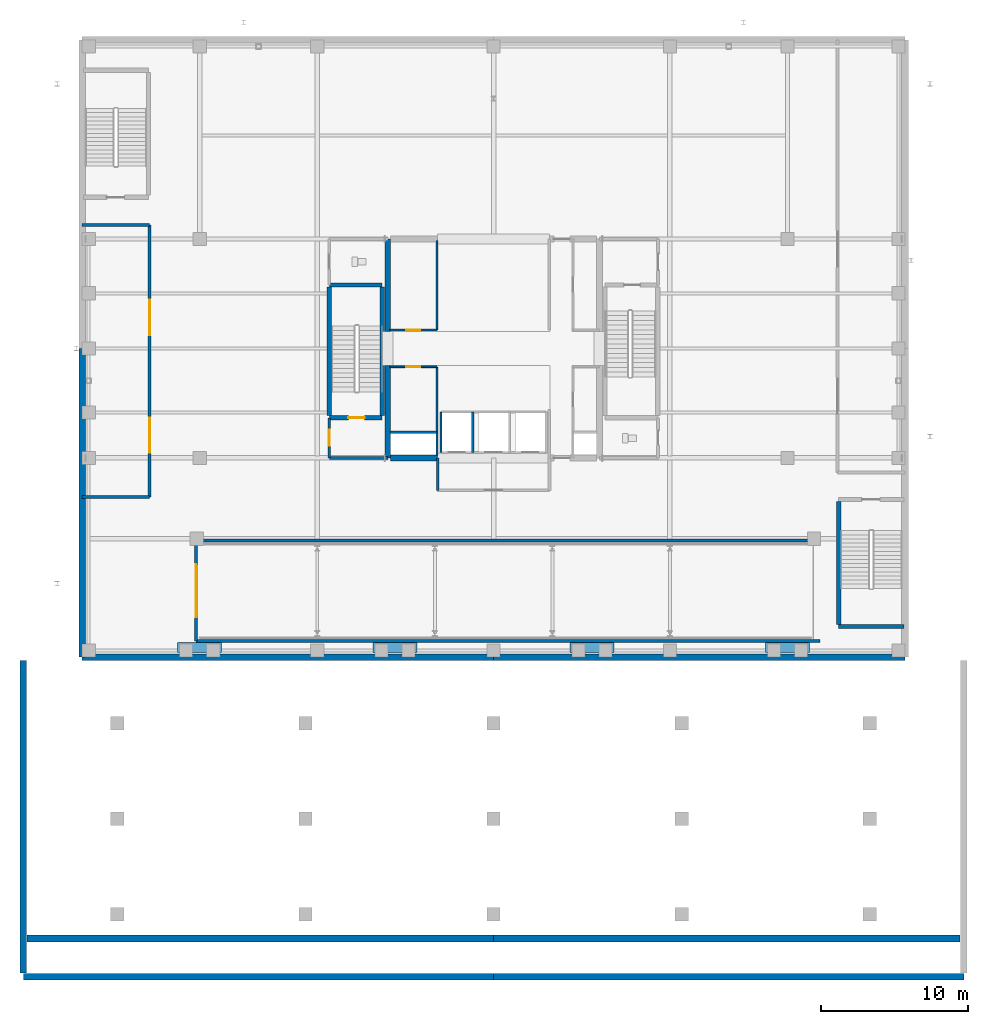
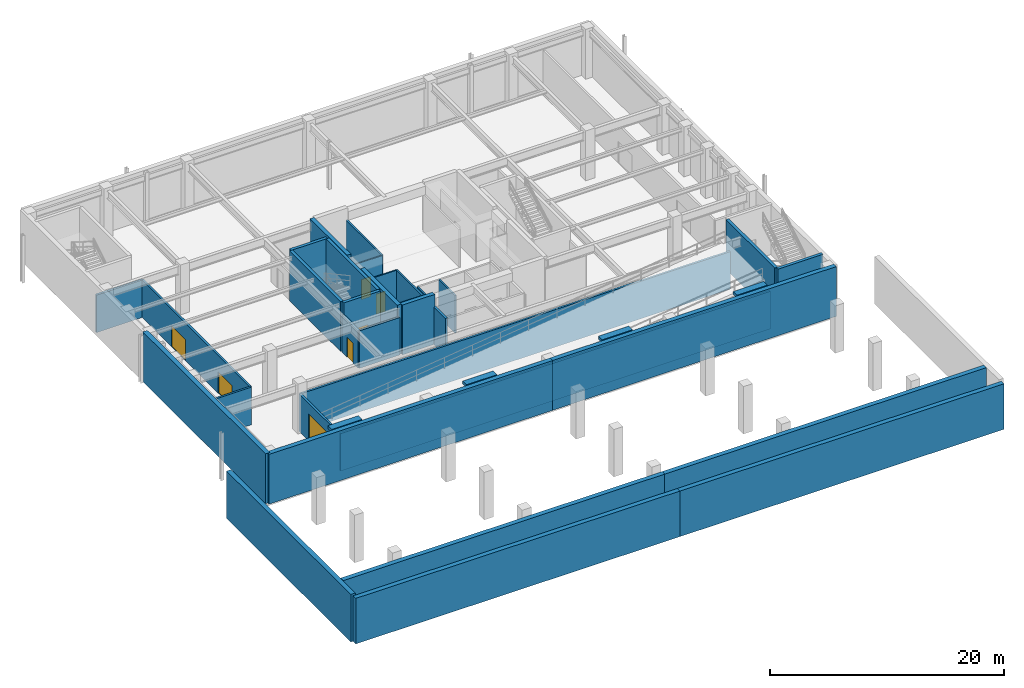
# One storey, part 11 of 16: 37 walls, 7 doors, 7 openings.
"""IFC4 building model written with IfcOpenShell, lengths in metres."""

from ifc_helpers import new_model, si_unit, direction, frame, frame_2d, origin, place, context, subcontext, project, spatial, rectangle, extrude, material, layer, layer_set, type_object, element, fill, save


model = new_model("IFC4")

# Units and contexts
model_context = context("Model", 3, precision=1e-05, world=origin(), true_north=direction((0.0, 1.0)))
body_context = subcontext(model_context, "Body", "Model", "MODEL_VIEW")
ifc_project = project(units=[si_unit("LENGTHUNIT", "METRE"), si_unit("AREAUNIT", "SQUARE_METRE"), si_unit("VOLUMEUNIT", "CUBIC_METRE"), si_unit("PLANEANGLEUNIT", "RADIAN"), si_unit("MASSUNIT", "GRAM", prefix="KILO")], contexts=[model_context])

# Site, building, storey
site_placement = place(None, origin())
site = spatial("IfcSite", under=ifc_project, at=site_placement, CompositionType="ELEMENT")
building_placement = place(site_placement, origin())
building = spatial("IfcBuilding", under=site, at=building_placement, Name="Veldorina Hangang Commons", CompositionType="ELEMENT")
storey_placement = place(building_placement, frame((0.0, 0.0, -5.199951171875)))
storey = spatial("IfcBuildingStorey", under=building, at=storey_placement, Name="B01", CompositionType="ELEMENT", Elevation=-5.199951171875)

# Walls
ifc_material_1 = material(Name="Concrete C70/85", Category="concrete")
ifc_layer_1 = layer(ifc_material_1, 0.39990234375)
ifc_layer_set_1 = layer_set([ifc_layer_1], Name="Concrete C70/85")
wall_type_1 = type_object("IfcWallType", Name="CW-RC400-C70", PredefinedType="SHEAR", material=ifc_layer_set_1)
for number, where, z_axis, x_axis, name in (
    (1, (24.800048828125, 16.550048828125, 0.0), (0.0, 0.0, 1.0), (0.0, 1.0, 0.0), "B01 W south core shear wall"),
    (2, (24.800048828125, 25.14990234375, 0.0), (0.0, 0.0, 1.0), (0.0, 1.0, 0.0), "B01 W north core shear wall"),
):
    element("IfcWall", number, at=place(storey_placement, frame(where, z_axis=z_axis, x_axis=x_axis)), inside=storey, type_object=wall_type_1, Name=name, PredefinedType="SHEAR", context=body_context, shape_type="SweptSolid", body=[
        extrude(rectangle(XDim=6.300048828125, YDim=0.39990234375, at=frame_2d((3.14990234375, 0.0))), origin(), (0.0, 0.0, 1.0), 5.199951171875),
    ])
wall_1_placement = place(storey_placement, frame((25.0, 16.550048828125, 0.0), z_axis=(0.0, 0.0, 1.0), x_axis=(1.0, 0.0, 0.0)))
element("IfcWall", 3, at=wall_1_placement, inside=storey, type_object=wall_type_1, Name="B01 south-west core shear wall", PredefinedType="SHEAR", context=body_context, shape_type="SweptSolid", body=[
    extrude(rectangle(XDim=3.199951171875, YDim=0.39990234375, at=frame_2d((1.60009765625, 0.0))), origin(), (0.0, 0.0, 1.0), 5.199951171875),
])
for number, where, z_axis, x_axis, name in (
    (4, (10.5, 3.64990234375, 4.8798828125), (0.0, 0.0, 1.0), (1.0, 0.0, 0.0), "B01 V-column concrete pedestal cap VC-1"),
    (5, (23.800048828125, 3.64990234375, 4.8798828125), (0.0, 0.0, 1.0), (1.0, 0.0, 0.0), "B01 V-column concrete pedestal cap VC-2"),
    (6, (37.199951171875, 3.64990234375, 4.8798828125), (0.0, 0.0, 1.0), (1.0, 0.0, 0.0), "B01 V-column concrete pedestal cap VC-3"),
    (7, (50.5, 3.64990234375, 4.8798828125), (0.0, 0.0, 1.0), (1.0, 0.0, 0.0), "B01 V-column concrete pedestal cap VC-4"),
):
    element("IfcWall", number, at=place(storey_placement, frame(where, z_axis=z_axis, x_axis=x_axis)), inside=storey, type_object=wall_type_1, Name=name, PredefinedType="SHEAR", context=body_context, shape_type="SweptSolid", body=[
        extrude(rectangle(XDim=3.0, YDim=0.64990234375, at=frame_2d((1.5, 0.0))), origin(), (0.0, 0.0, 1.0), 0.320068359375),
    ])
ifc_material_2 = material(Name="Concrete C45/55", Category="concrete")
ifc_layer_2 = layer(ifc_material_2, 0.449951171875)
ifc_layer_set_2 = layer_set([ifc_layer_2], Name="Concrete C45/55")
wall_type_2 = type_object("IfcWallType", Name="RW-BASE-450", PredefinedType="USERDEFINED", material=ifc_layer_set_2)
for number, where, z_axis, x_axis, name in (
    (8, (4.0, 3.0, 0.0), (0.0, 0.0, 1.0), (1.0, 0.0, 0.0), "B01 perimeter retaining wall S1"),
    (9, (32.0, 3.0, 0.0), (0.0, 0.0, 1.0), (1.0, 0.0, 0.0), "B01 perimeter retaining wall S2"),
):
    element("IfcWall", number, at=place(storey_placement, frame(where, z_axis=z_axis, x_axis=x_axis)), inside=storey, type_object=wall_type_2, Name=name, ObjectType="RETAININGWALL", PredefinedType="USERDEFINED", context=body_context, shape_type="SweptSolid", body=[
        extrude(rectangle(XDim=28.0, YDim=0.449951171875, at=frame_2d((14.0, 0.0))), origin(), (0.0, 0.0, 1.0), 5.199951171875),
    ])
wall_2_placement = place(storey_placement, frame((4.0, 24.0, 0.0), z_axis=(0.0, 0.0, 1.0), x_axis=(0.0, -1.0, 0.0)))
element("IfcWall", 10, at=wall_2_placement, inside=storey, type_object=wall_type_2, Name="B01 perimeter retaining wall W2", ObjectType="RETAININGWALL", PredefinedType="USERDEFINED", context=body_context, shape_type="SweptSolid", body=[
    extrude(rectangle(XDim=21.0, YDim=0.449951171875, at=frame_2d((10.5, 0.0))), origin(), (0.0, 0.0, 1.0), 5.199951171875),
])
for number, where, z_axis, x_axis, name in (
    (11, (0.0, -18.75, 0.0), (0.0, 0.0, 1.0), (1.0, 0.0, 0.0), "B01 waterfront quay retaining wall QS1"),
    (12, (32.0, -18.75, 0.0), (0.0, 0.0, 1.0), (1.0, 0.0, 0.0), "B01 waterfront quay retaining wall QS2"),
):
    element("IfcWall", number, at=place(storey_placement, frame(where, z_axis=z_axis, x_axis=x_axis)), inside=storey, type_object=wall_type_2, Name=name, ObjectType="RETAININGWALL", PredefinedType="USERDEFINED", context=body_context, shape_type="SweptSolid", body=[
        extrude(rectangle(XDim=32.0, YDim=0.449951171875, at=frame_2d((16.0, 0.0))), origin(), (0.0, 0.0, 1.0), 4.760009765625),
    ])
for number, where, z_axis, x_axis, name in (
    (13, (0.25, -16.14990234375, 0.0), (0.0, 0.0, 1.0), (1.0, 0.0, 0.0), "B01 waterfront quay retaining wall QN1"),
    (14, (32.0, -16.14990234375, 0.0), (0.0, 0.0, 1.0), (1.0, 0.0, 0.0), "B01 waterfront quay retaining wall QN2"),
):
    element("IfcWall", number, at=place(storey_placement, frame(where, z_axis=z_axis, x_axis=x_axis)), inside=storey, type_object=wall_type_2, Name=name, ObjectType="RETAININGWALL", PredefinedType="USERDEFINED", context=body_context, shape_type="SweptSolid", body=[
        extrude(rectangle(XDim=31.75, YDim=0.449951171875, at=frame_2d((15.875, 0.0))), origin(), (0.0, 0.0, 1.0), 4.949951171875),
    ])
wall_3_placement = place(storey_placement, frame((0.0, -18.5, 0.0), z_axis=(0.0, 0.0, 1.0), x_axis=(0.0, 1.0, 0.0)))
element("IfcWall", 15, at=wall_3_placement, inside=storey, type_object=wall_type_2, Name="B01 waterfront quay retaining wall QW", ObjectType="RETAININGWALL", PredefinedType="USERDEFINED", context=body_context, shape_type="SweptSolid", body=[
    extrude(rectangle(XDim=21.25, YDim=0.449951171875, at=frame_2d((10.625, 0.0))), origin(), (0.0, 0.0, 1.0), 4.949951171875),
])
ifc_material_3 = material(Name="Concrete C50/60", Category="concrete")
ifc_layer_3 = layer(ifc_material_3, 0.300048828125)
ifc_layer_set_3 = layer_set([ifc_layer_3], Name="Concrete C50/60")
wall_type_3 = type_object("IfcWallType", Name="SW-STAIR-300", PredefinedType="SHEAR", material=ifc_layer_set_3)
for number, where, z_axis, x_axis, name in (
    (16, (20.820068359375, 19.429931640625, 0.0), (0.0, 0.0, 1.0), (0.0, 1.0, 0.0), "B01 ST1 outer stair shear wall"),
    (17, (24.419921875, 19.429931640625, 0.0), (0.0, 0.0, 1.0), (0.0, 1.0, 0.0), "B01 ST1 inner stair shear wall"),
):
    element("IfcWall", number, at=place(storey_placement, frame(where, z_axis=z_axis, x_axis=x_axis)), inside=storey, type_object=wall_type_3, Name=name, PredefinedType="SHEAR", context=body_context, shape_type="SweptSolid", body=[
        extrude(rectangle(XDim=8.739990234375, YDim=0.300048828125, at=frame_2d((4.3701171875, 0.0))), origin(), (0.0, 0.0, 1.0), 5.199951171875),
    ])

# Wall, opening, door
wall_4_placement = place(storey_placement, frame((20.820068359375, 19.280029296875, 0.0), z_axis=(0.0, 0.0, 1.0), x_axis=(1.0, 0.0, 0.0)))
wall_4 = element("IfcWall", 18, at=wall_4_placement, inside=storey, type_object=wall_type_3, Name="B01 ST1 south stair shear wall", PredefinedType="SHEAR", context=body_context, shape_type="SweptSolid", body=[
    extrude(rectangle(XDim=3.599853515625, YDim=0.300048828125, at=frame_2d((1.7998046875, 0.0))), origin(), (0.0, 0.0, 1.0), 5.199951171875),
])
opening_1_placement = place(wall_4_placement, frame((1.300048828125, 0.0, 0.0)))
opening_1 = element("IfcOpeningElement", 19, at=opening_1_placement, cuts=wall_4, Name="Opening D-08", PredefinedType="OPENING", context=body_context, shape_type="SweptSolid", body=[
    extrude(rectangle(XDim=1.10009765625, YDim=2.10009765625, at=frame_2d((0.550048828125, 1.050048828125))), frame((0.0, 0.16015625, 0.0), z_axis=(0.0, -1.0, 0.0), x_axis=(1.0, 0.0, 0.0)), (0.0, 0.0, 1.0), 0.320068359375),
])
ifc_material_4 = material(Name="Steel Fire-Rated Smoke Seal", Category="steel")
door_type_1 = type_object("IfcDoorType", Name="DR-FIRE-1100", OperationType="SINGLE_SWING_RIGHT", PredefinedType="DOOR", material=ifc_material_4)
door_1_placement = place(opening_1_placement, origin())
door_1 = element("IfcDoor", 20, at=door_1_placement, inside=storey, type_object=door_type_1, Name="B01 Special Escape Stair ST-1 door", OperationType="SINGLE_SWING_LEFT", OverallHeight=2.10009765625, OverallWidth=1.10009765625, PredefinedType="DOOR", context=body_context, shape_type="SweptSolid", body=[
    extrude(rectangle(XDim=1.10009765625, YDim=2.10009765625, at=frame_2d((0.550048828125, 1.050048828125))), frame((0.0, 0.02490234375, 0.0), z_axis=(0.0, -1.0, 0.0), x_axis=(1.0, 0.0, 0.0)), (0.0, 0.0, 1.0), 0.050048828125),
])
fill(opening_1, door_1)

# Walls
wall_5_placement = place(storey_placement, frame((20.820068359375, 28.320068359375, 0.0), z_axis=(0.0, 0.0, 1.0), x_axis=(1.0, 0.0, 0.0)))
element("IfcWall", 21, at=wall_5_placement, inside=storey, type_object=wall_type_3, Name="B01 ST1 north stair shear wall", PredefinedType="SHEAR", context=body_context, shape_type="SweptSolid", body=[
    extrude(rectangle(XDim=3.599853515625, YDim=0.300048828125, at=frame_2d((1.7998046875, 0.0))), origin(), (0.0, 0.0, 1.0), 5.199951171875),
])
wall_6_placement = place(storey_placement, frame((55.47998046875, 5.22998046875, 0.0), z_axis=(0.0, 0.0, 1.0), x_axis=(0.0, 1.0, 0.0)))
element("IfcWall", 22, at=wall_6_placement, inside=storey, type_object=wall_type_3, Name="B01 STP2 W stair shear wall", PredefinedType="SHEAR", context=body_context, shape_type="SweptSolid", body=[
    extrude(rectangle(XDim=8.340087890625, YDim=0.300048828125, at=frame_2d((4.169921875, 0.0))), origin(), (0.0, 0.0, 1.0), 5.199951171875),
])
wall_7_placement = place(storey_placement, frame((55.47998046875, 5.080078125, 0.0), z_axis=(0.0, 0.0, 1.0), x_axis=(1.0, 0.0, 0.0)))
element("IfcWall", 23, at=wall_7_placement, inside=storey, type_object=wall_type_3, Name="B01 STP2 S stair shear wall", PredefinedType="SHEAR", context=body_context, shape_type="SweptSolid", body=[
    extrude(rectangle(XDim=4.43994140625, YDim=0.300048828125, at=frame_2d((2.219970703125, 0.0))), origin(), (0.0, 0.0, 1.0), 5.199951171875),
])
ifc_material_5 = material(Name="Gypsum Fire-Rated Twin Stud Wall", Category="gypsum")
ifc_layer_4 = layer(ifc_material_5, 0.159912109375)
ifc_layer_set_4 = layer_set([ifc_layer_4], Name="Gypsum Fire-Rated Twin Stud Wall")
wall_type_4 = type_object("IfcWallType", Name="WL-FIRE-160", PredefinedType="SOLIDWALL", material=ifc_layer_set_4)
for number, where, z_axis, x_axis, name in (
    (24, (28.419921875, 16.919921875, 0.0), (0.0, 0.0, 1.0), (0.0, 1.0, 0.0), "B01 FFL-1 west shaft wall 017"),
    (25, (30.580078125, 16.919921875, 0.0), (0.0, 0.0, 1.0), (0.0, 1.0, 0.0), "B01 FFL-1 east shaft wall 018"),
):
    element("IfcWall", number, at=place(storey_placement, frame(where, z_axis=z_axis, x_axis=x_axis)), inside=storey, type_object=wall_type_4, Name=name, PredefinedType="SOLIDWALL", context=body_context, shape_type="SweptSolid", body=[
        extrude(rectangle(XDim=2.760009765625, YDim=0.159912109375, at=frame_2d((1.3798828125, 0.0))), origin(), (0.0, 0.0, 1.0), 3.919921875),
    ])
wall_8_placement = place(storey_placement, frame((24.949951171875, 18.300048828125, 0.0), z_axis=(0.0, 0.0, 1.0), x_axis=(1.0, 0.0, 0.0)))
element("IfcWall", 26, at=wall_8_placement, inside=storey, type_object=wall_type_4, Name="B01 Electrical riser wall 021", PredefinedType="SOLIDWALL", context=body_context, shape_type="SweptSolid", body=[
    extrude(rectangle(XDim=3.199951171875, YDim=0.159912109375, at=frame_2d((1.60009765625, 0.0))), origin(), (0.0, 0.0, 1.0), 3.919921875),
])
wall_9_placement = place(storey_placement, frame((28.14990234375, 16.699951171875, 0.0), z_axis=(0.0, 0.0, 1.0), x_axis=(0.0, 1.0, 0.0)))
element("IfcWall", 27, at=wall_9_placement, inside=storey, type_object=wall_type_4, Name="B01 SW core inner wall 022", PredefinedType="SOLIDWALL", context=body_context, shape_type="SweptSolid", body=[
    extrude(rectangle(XDim=6.050048828125, YDim=0.159912109375, at=frame_2d((3.02490234375, 0.0))), origin(), (0.0, 0.0, 1.0), 3.919921875),
])
wall_10_placement = place(storey_placement, frame((28.14990234375, 25.25, 0.0), z_axis=(0.0, 0.0, 1.0), x_axis=(0.0, 1.0, 0.0)))
element("IfcWall", 28, at=wall_10_placement, inside=storey, type_object=wall_type_4, Name="B01 NW core inner wall 024", PredefinedType="SOLIDWALL", context=body_context, shape_type="SweptSolid", body=[
    extrude(rectangle(XDim=6.10009765625, YDim=0.159912109375, at=frame_2d((3.050048828125, 0.0))), origin(), (0.0, 0.0, 1.0), 3.919921875),
])

# Wall, opening, door
ifc_material_6 = material(Name="Concrete Blockwork Fire Wall C30/37", Category="masonry")
ifc_layer_5 = layer(ifc_material_6, 0.199951171875)
ifc_layer_set_5 = layer_set([ifc_layer_5], Name="Concrete Blockwork Fire Wall C30/37")
wall_type_5 = type_object("IfcWallType", Name="WL-FIRE-200", PredefinedType="SOLIDWALL", material=ifc_layer_set_5)
wall_11_placement = place(storey_placement, frame((20.820068359375, 16.550048828125, 0.0), z_axis=(0.0, 0.0, 1.0), x_axis=(0.0, 1.0, 0.0)))
wall_11 = element("IfcWall", 29, at=wall_11_placement, inside=storey, type_object=wall_type_5, Name="B01 West vestibule outer wall 001", PredefinedType="SOLIDWALL", context=body_context, shape_type="SweptSolid", body=[
    extrude(rectangle(XDim=2.72998046875, YDim=0.199951171875, at=frame_2d((1.364990234375, 0.0))), origin(), (0.0, 0.0, 1.0), 3.919921875),
])
opening_2_placement = place(wall_11_placement, frame((0.81494140625, 0.0, 0.0)))
opening_2 = element("IfcOpeningElement", 30, at=opening_2_placement, cuts=wall_11, Name="Opening D-08", PredefinedType="OPENING", context=body_context, shape_type="SweptSolid", body=[
    extrude(rectangle(XDim=1.10009765625, YDim=2.10009765625, at=frame_2d((0.550048828125, 1.050048828125))), frame((0.0, 0.10986328125, 0.0), z_axis=(0.0, -1.0, 0.0), x_axis=(1.0, 0.0, 0.0)), (0.0, 0.0, 1.0), 0.219970703125),
])
door_2_placement = place(opening_2_placement, origin())
door_2 = element("IfcDoor", 31, at=door_2_placement, inside=storey, type_object=door_type_1, Name="B01 West vestibule west door 001", OperationType="SINGLE_SWING_LEFT", OverallHeight=2.10009765625, OverallWidth=1.10009765625, PredefinedType="DOOR", context=body_context, shape_type="SweptSolid", body=[
    extrude(rectangle(XDim=1.10009765625, YDim=2.10009765625, at=frame_2d((0.550048828125, 1.050048828125))), frame((0.0, 0.02490234375, 0.0), z_axis=(0.0, -1.0, 0.0), x_axis=(1.0, 0.0, 0.0)), (0.0, 0.0, 1.0), 0.050048828125),
])
fill(opening_2, door_2)

# Walls
wall_12_placement = place(storey_placement, frame((20.820068359375, 16.550048828125, 0.0), z_axis=(0.0, 0.0, 1.0), x_axis=(1.0, 0.0, 0.0)))
element("IfcWall", 32, at=wall_12_placement, inside=storey, type_object=wall_type_5, Name="B01 West vestibule south wall 002", PredefinedType="SOLIDWALL", context=body_context, shape_type="SweptSolid", body=[
    extrude(rectangle(XDim=3.97998046875, YDim=0.199951171875, at=frame_2d((1.989990234375, 0.0))), origin(), (0.0, 0.0, 1.0), 3.919921875),
])
wall_13_placement = place(storey_placement, frame((28.199951171875, 14.35009765625, 0.0), z_axis=(0.0, 0.0, 1.0), x_axis=(0.0, 1.0, 0.0)))
element("IfcWall", 33, at=wall_13_placement, inside=storey, type_object=wall_type_5, Name="B01 FF lobby west wall 012", PredefinedType="SOLIDWALL", context=body_context, shape_type="SweptSolid", body=[
    extrude(rectangle(XDim=2.199951171875, YDim=0.199951171875, at=frame_2d((1.10009765625, 0.0))), origin(), (0.0, 0.0, 1.0), 3.919921875),
])

# Wall, openings, doors
wall_14_placement = place(storey_placement, frame((8.60009765625, 13.89990234375, 0.0), z_axis=(0.0, 0.0, 1.0), x_axis=(0.0, 1.0, 0.0)))
wall_14 = element("IfcWall", 34, at=wall_14_placement, inside=storey, type_object=wall_type_5, Name="B01 Bicycle store wall 031", PredefinedType="SOLIDWALL", context=body_context, shape_type="SweptSolid", body=[
    extrude(rectangle(XDim=18.5, YDim=0.199951171875, at=frame_2d((9.25, 0.0))), origin(), (0.0, 0.0, 1.0), 3.919921875),
])
opening_3_placement = place(wall_14_placement, frame((3.0, 0.0, 0.0)))
opening_3 = element("IfcOpeningElement", 35, at=opening_3_placement, cuts=wall_14, Name="Opening VG-02", PredefinedType="OPENING", context=body_context, shape_type="SweptSolid", body=[
    extrude(rectangle(XDim=2.39990234375, YDim=2.199951171875, at=frame_2d((1.199951171875, 1.10009765625))), frame((0.0, 0.10986328125, 0.0), z_axis=(0.0, -1.0, 0.0), x_axis=(1.0, 0.0, 0.0)), (0.0, 0.0, 1.0), 0.219970703125),
])
opening_4_placement = place(wall_14_placement, frame((11.0, 0.0, 0.0)))
opening_4 = element("IfcOpeningElement", 36, at=opening_4_placement, cuts=wall_14, Name="Opening VG-02", PredefinedType="OPENING", context=body_context, shape_type="SweptSolid", body=[
    extrude(rectangle(XDim=2.39990234375, YDim=2.199951171875, at=frame_2d((1.199951171875, 1.10009765625))), frame((0.0, 0.10986328125, 0.0), z_axis=(0.0, -1.0, 0.0), x_axis=(1.0, 0.0, 0.0)), (0.0, 0.0, 1.0), 0.219970703125),
])
ifc_material_7 = material(Name="Steel Perforated Security Grille", Category="steel")
door_type_2 = type_object("IfcDoorType", Name="DR-GATE-2400", OperationType="ROLLINGUP", PredefinedType="GATE", material=ifc_material_7)
door_3_placement = place(opening_3_placement, origin())
door_3 = element("IfcDoor", 37, at=door_3_placement, inside=storey, type_object=door_type_2, Name="B01 Bicycle store north security gate 013", OperationType="ROLLINGUP", OverallHeight=2.199951171875, OverallWidth=2.39990234375, PredefinedType="GATE", context=body_context, shape_type="SweptSolid", body=[
    extrude(rectangle(XDim=2.39990234375, YDim=2.199951171875, at=frame_2d((1.199951171875, 1.10009765625))), frame((0.0, 0.02490234375, 0.0), z_axis=(0.0, -1.0, 0.0), x_axis=(1.0, 0.0, 0.0)), (0.0, 0.0, 1.0), 0.050048828125),
])
fill(opening_3, door_3)
door_4_placement = place(opening_4_placement, origin())
door_4 = element("IfcDoor", 38, at=door_4_placement, inside=storey, type_object=door_type_2, Name="B01 Bicycle store south security gate 014", OperationType="ROLLINGUP", OverallHeight=2.199951171875, OverallWidth=2.39990234375, PredefinedType="GATE", context=body_context, shape_type="SweptSolid", body=[
    extrude(rectangle(XDim=2.39990234375, YDim=2.199951171875, at=frame_2d((1.199951171875, 1.10009765625))), frame((0.0, 0.02490234375, 0.0), z_axis=(0.0, -1.0, 0.0), x_axis=(1.0, 0.0, 0.0)), (0.0, 0.0, 1.0), 0.050048828125),
])
fill(opening_4, door_4)

# Walls
for number, where, z_axis, x_axis, name in (
    (39, (4.0, 13.89990234375, 0.0), (0.0, 0.0, 1.0), (1.0, 0.0, 0.0), "B01 Bicycle store south wall 032"),
    (40, (4.0, 32.39990234375, 0.0), (0.0, 0.0, 1.0), (1.0, 0.0, 0.0), "B01 Bicycle store north wall 033"),
):
    element("IfcWall", number, at=place(storey_placement, frame(where, z_axis=z_axis, x_axis=x_axis)), inside=storey, type_object=wall_type_5, Name=name, PredefinedType="SOLIDWALL", context=body_context, shape_type="SweptSolid", body=[
        extrude(rectangle(XDim=4.60009765625, YDim=0.199951171875, at=frame_2d((2.300048828125, 0.0))), origin(), (0.0, 0.0, 1.0), 3.919921875),
    ])
for number, where, z_axis, x_axis, name in (
    (41, (11.75, 10.919921875, 0.0), (0.0, 0.0, 1.0), (1.0, 0.0, 0.0), "B01 B01 ramp north enclosure wall 036"),
    (42, (11.75, 4.080078125, 0.0), (0.0, 0.0, 1.0), (1.0, 0.0, 0.0), "B01 B01 ramp south enclosure wall 037"),
):
    element("IfcWall", number, at=place(storey_placement, frame(where, z_axis=z_axis, x_axis=x_axis)), inside=storey, type_object=wall_type_5, Name=name, PredefinedType="SOLIDWALL", context=body_context, shape_type="SweptSolid", body=[
        extrude(rectangle(XDim=42.449951171875, YDim=0.199951171875, at=frame_2d((21.22509765625, 0.0))), origin(), (0.0, 0.0, 1.0), 3.919921875),
    ])

# Wall, opening, door
wall_15_placement = place(storey_placement, frame((11.75, 4.080078125, 0.0), z_axis=(0.0, 0.0, 1.0), x_axis=(0.0, 1.0, 0.0)))
wall_15 = element("IfcWall", 43, at=wall_15_placement, inside=storey, type_object=wall_type_5, Name="B01 B01 car park vehicle ramp portal wall 038", PredefinedType="SOLIDWALL", context=body_context, shape_type="SweptSolid", body=[
    extrude(rectangle(XDim=6.83984375, YDim=0.199951171875, at=frame_2d((3.419921875, 0.0))), origin(), (0.0, 0.0, 1.0), 3.919921875),
])
opening_5_placement = place(wall_15_placement, frame((1.6201171875, 0.0, 0.0)))
opening_5 = element("IfcOpeningElement", 44, at=opening_5_placement, cuts=wall_15, Name="Opening VG-01", PredefinedType="OPENING", context=body_context, shape_type="SweptSolid", body=[
    extrude(rectangle(XDim=3.60009765625, YDim=2.800048828125, at=frame_2d((1.800048828125, 1.39990234375))), frame((0.0, 0.10986328125, 0.0), z_axis=(0.0, -1.0, 0.0), x_axis=(1.0, 0.0, 0.0)), (0.0, 0.0, 1.0), 0.219970703125),
])
ifc_material_8 = material(Name="Steel Insulated Car Park Shutter", Category="steel")
door_type_3 = type_object("IfcDoorType", Name="DR-VEH-GATE3600", OperationType="ROLLINGUP", PredefinedType="GATE", material=ifc_material_8)
door_5_placement = place(opening_5_placement, origin())
door_5 = element("IfcDoor", 45, at=door_5_placement, inside=storey, type_object=door_type_3, Name="B01 car park vehicle entrance roller shutter", OperationType="ROLLINGUP", OverallHeight=2.800048828125, OverallWidth=3.60009765625, PredefinedType="GATE", context=body_context, shape_type="SweptSolid", body=[
    extrude(rectangle(XDim=3.60009765625, YDim=2.800048828125, at=frame_2d((1.800048828125, 1.39990234375))), frame((0.0, 0.02490234375, 0.0), z_axis=(0.0, -1.0, 0.0), x_axis=(1.0, 0.0, 0.0)), (0.0, 0.0, 1.0), 0.050048828125),
])
fill(opening_5, door_5)

ifc_material_9 = material(Name="Gypsum Acoustic Stud Partition", Category="gypsum")
ifc_layer_6 = layer(ifc_material_9, 0.1201171875)
ifc_layer_set_6 = layer_set([ifc_layer_6], Name="Gypsum Acoustic Stud Partition")
wall_type_6 = type_object("IfcWallType", Name="WL-PART-120", PredefinedType="PARTITIONING", material=ifc_layer_set_6)
wall_16_placement = place(storey_placement, frame((24.949951171875, 25.25, 0.0), z_axis=(0.0, 0.0, 1.0), x_axis=(1.0, 0.0, 0.0)))
wall_16 = element("IfcWall", 46, at=wall_16_placement, inside=storey, type_object=wall_type_6, Name="B01 NW service south wall 025", PredefinedType="PARTITIONING", context=body_context, shape_type="SweptSolid", body=[
    extrude(rectangle(XDim=3.199951171875, YDim=0.1201171875, at=frame_2d((1.60009765625, 0.0))), origin(), (0.0, 0.0, 1.0), 3.919921875),
])
opening_6_placement = place(wall_16_placement, frame((1.125, 0.0, 0.0)))
opening_6 = element("IfcOpeningElement", 47, at=opening_6_placement, cuts=wall_16, Name="Opening D-02", PredefinedType="OPENING", context=body_context, shape_type="SweptSolid", body=[
    extrude(rectangle(XDim=0.949951171875, YDim=2.10009765625, at=frame_2d((0.47509765625, 1.050048828125))), frame((0.0, 0.070068359375, 0.0), z_axis=(0.0, -1.0, 0.0), x_axis=(1.0, 0.0, 0.0)), (0.0, 0.0, 1.0), 0.14013671875),
])
ifc_material_10 = material(Name="Timber Solid Core Acoustic", Category="wood")
door_type_4 = type_object("IfcDoorType", Name="DR-INT-950", OperationType="SINGLE_SWING_LEFT", PredefinedType="DOOR", material=ifc_material_10)
door_6_placement = place(opening_6_placement, origin())
door_6 = element("IfcDoor", 48, at=door_6_placement, inside=storey, type_object=door_type_4, Name="B01 Housekeeping store door 009", OperationType="SINGLE_SWING_LEFT", OverallHeight=2.10009765625, OverallWidth=0.949951171875, PredefinedType="DOOR", context=body_context, shape_type="SweptSolid", body=[
    extrude(rectangle(XDim=0.949951171875, YDim=2.10009765625, at=frame_2d((0.47509765625, 1.050048828125))), frame((0.0, 0.02490234375, 0.0), z_axis=(0.0, -1.0, 0.0), x_axis=(1.0, 0.0, 0.0)), (0.0, 0.0, 1.0), 0.050048828125),
])
fill(opening_6, door_6)

wall_17_placement = place(storey_placement, frame((24.949951171875, 22.75, 0.0), z_axis=(0.0, 0.0, 1.0), x_axis=(1.0, 0.0, 0.0)))
wall_17 = element("IfcWall", 49, at=wall_17_placement, inside=storey, type_object=wall_type_6, Name="B01 SW service north wall 026", PredefinedType="PARTITIONING", context=body_context, shape_type="SweptSolid", body=[
    extrude(rectangle(XDim=3.199951171875, YDim=0.1201171875, at=frame_2d((1.60009765625, 0.0))), origin(), (0.0, 0.0, 1.0), 3.919921875),
])
opening_7_placement = place(wall_17_placement, frame((1.125, 0.0, 0.0)))
opening_7 = element("IfcOpeningElement", 50, at=opening_7_placement, cuts=wall_17, Name="Opening D-02", PredefinedType="OPENING", context=body_context, shape_type="SweptSolid", body=[
    extrude(rectangle(XDim=0.949951171875, YDim=2.10009765625, at=frame_2d((0.47509765625, 1.050048828125))), frame((0.0, 0.070068359375, 0.0), z_axis=(0.0, -1.0, 0.0), x_axis=(1.0, 0.0, 0.0)), (0.0, 0.0, 1.0), 0.14013671875),
])
door_7_placement = place(opening_7_placement, origin())
door_7 = element("IfcDoor", 51, at=door_7_placement, inside=storey, type_object=door_type_4, Name="B01 Refuse hold door 010", OperationType="SINGLE_SWING_RIGHT", OverallHeight=2.10009765625, OverallWidth=0.949951171875, PredefinedType="DOOR", context=body_context, shape_type="SweptSolid", body=[
    extrude(rectangle(XDim=0.949951171875, YDim=2.10009765625, at=frame_2d((0.47509765625, 1.050048828125))), frame((0.0, 0.02490234375, 0.0), z_axis=(0.0, -1.0, 0.0), x_axis=(1.0, 0.0, 0.0)), (0.0, 0.0, 1.0), 0.050048828125),
])
fill(opening_7, door_7)

save(model, "model.ifc")
